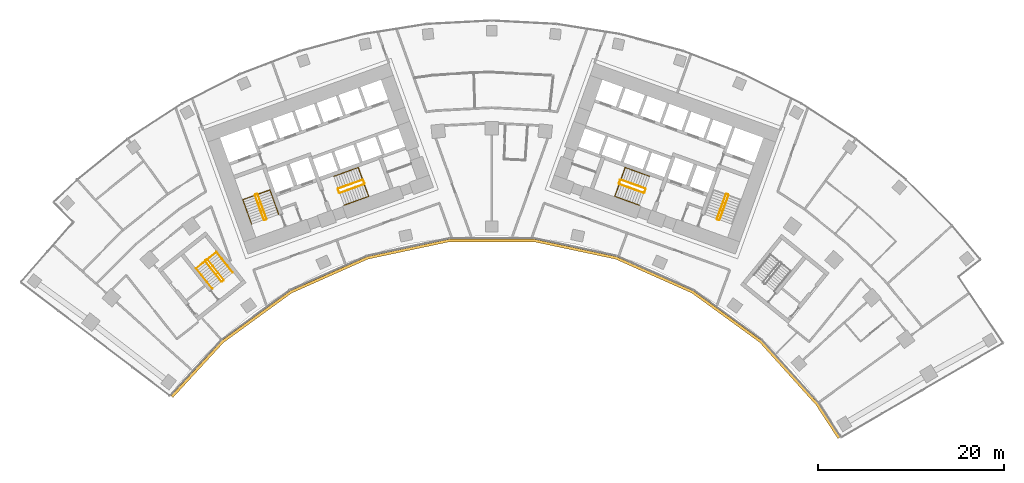
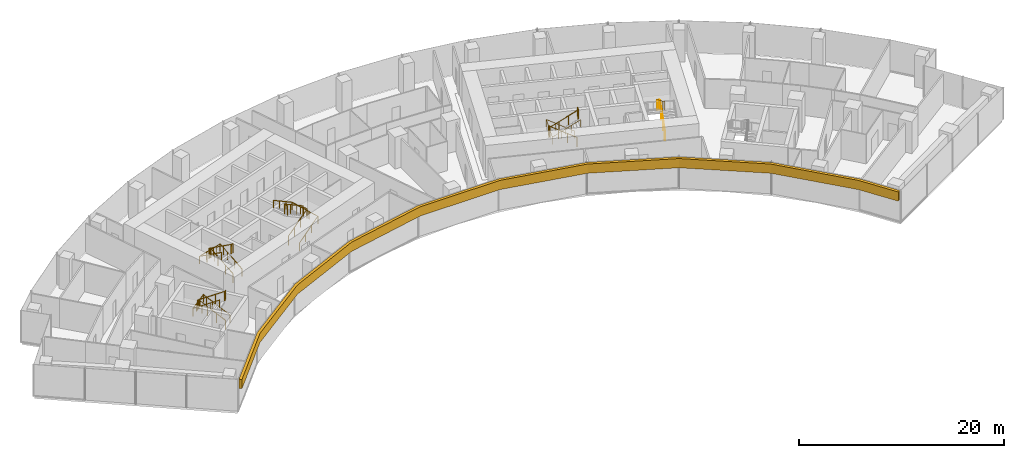
# One storey, part 20 of 21: 14 railings, 1 covering.
"""IFC4 building model written with IfcOpenShell, lengths in metres."""

from ifc_helpers import new_model, si_unit, direction, frame, origin, origin_2d, place, context, subcontext, project, spatial, polyline, circle, outline, extrude, material, layer, layer_set, type_object, element, save


model = new_model("IFC4")

# Units and contexts
model_context = context("Model", 3, precision=1e-05, world=origin(), true_north=direction((0.0, 1.0)))
body_context = subcontext(model_context, "Body", "Model", "MODEL_VIEW")
ifc_project = project(units=[si_unit("LENGTHUNIT", "METRE"), si_unit("AREAUNIT", "SQUARE_METRE"), si_unit("VOLUMEUNIT", "CUBIC_METRE"), si_unit("PLANEANGLEUNIT", "RADIAN"), si_unit("MASSUNIT", "GRAM", prefix="KILO")], contexts=[model_context])

# Site, building, storey
site_placement = place(None, origin())
site = spatial("IfcSite", under=ifc_project, at=site_placement, CompositionType="ELEMENT")
building_placement = place(site_placement, origin())
building = spatial("IfcBuilding", under=site, at=building_placement, Name="Stone Belt Terrace Tower", CompositionType="ELEMENT")
storey_placement = place(building_placement, frame((0.0, 0.0, 90.800048828125)))
storey = spatial("IfcBuildingStorey", under=building, at=storey_placement, Name="L21", CompositionType="ELEMENT", Elevation=90.800048828125)

# Railings
ifc_material_1 = material(Name="Structural steel C345", Category="steel")
railing_type_1 = type_object("IfcRailingType", Name="Stair guard 1100", PredefinedType="GUARDRAIL", material=ifc_material_1)
railing_1_placement = place(storey_placement, frame((-24.2119140625, 45.276123046875, 0.172607421875)))
element("IfcRailing", 1, at=railing_1_placement, inside=storey, type_object=railing_type_1, Name="L21 ST1A stair guard 1", PredefinedType="GUARDRAIL", context=body_context, shape_type="SweptSolid", body=[
    extrude(circle(Radius=0.02392578125, at=origin_2d()), frame((0.0, 0.0, 1.076171875), z_axis=(-0.288228637646, 0.800791768495, 0.525030280985), x_axis=(-0.940908529223, -0.338660803216, 0.0)), (0.0, 0.0, 1.0), 3.289794921875),
    extrude(circle(Radius=0.02392578125, at=origin_2d()), frame((-0.9482421875, 2.634521484375, 2.80322265625), z_axis=(-0.905209821074, 0.424964916, 0.0), x_axis=(-0.424964916, -0.905209821074, 0.0)), (0.0, 0.0, 1.0), 0.070556640625),
    extrude(circle(Radius=0.02392578125, at=origin_2d()), frame((-1.01220703125, 2.66455078125, 2.80322265625), z_axis=(-0.941105063269, -0.338114270461, 0.0), x_axis=(0.338114270461, -0.941105063269, 0.0)), (0.0, 0.0, 1.0), 0.199951171875),
    extrude(circle(Radius=0.02099609375, at=origin_2d()), origin(), (0.0, 0.0, 1.0), 1.052001953125),
    extrude(circle(Radius=0.02099609375, at=origin_2d()), frame((-0.316162109375, 0.878173828125, 0.57568359375)), (0.0, 0.0, 1.0), 1.052001953125),
    extrude(circle(Radius=0.02099609375, at=origin_2d()), frame((-0.632080078125, 1.75634765625, 1.151611328125)), (0.0, 0.0, 1.0), 1.052001953125),
    extrude(circle(Radius=0.02099609375, at=origin_2d()), frame((-0.9482421875, 2.634521484375, 1.727294921875)), (0.0, 0.0, 1.0), 1.052001953125),
    extrude(circle(Radius=0.02099609375, at=origin_2d()), frame((-1.01220703125, 2.66455078125, 1.727294921875)), (0.0, 0.0, 1.0), 1.052001953125),
    extrude(circle(Radius=0.02099609375, at=origin_2d()), frame((-1.200439453125, 2.596923828125, 1.727294921875)), (0.0, 0.0, 1.0), 1.052001953125),
])
railing_2_placement = place(storey_placement, frame((-25.4423828125, 47.80908203125, 2.07275390625)))
element("IfcRailing", 2, at=railing_2_placement, inside=storey, type_object=railing_type_1, Name="L21 ST1A stair guard 2", PredefinedType="GUARDRAIL", context=body_context, shape_type="SweptSolid", body=[
    extrude(circle(Radius=0.02392578125, at=origin_2d()), frame((0.0, 0.0, 1.076171875), z_axis=(0.288228637646, -0.800791768495, 0.525030280985), x_axis=(0.940908529223, 0.338660803216, 0.0)), (0.0, 0.0, 1.0), 3.289794921875),
    extrude(circle(Radius=0.02392578125, at=origin_2d()), frame((0.9482421875, -2.634521484375, 2.80322265625), z_axis=(0.903878284585, -0.427789722475, 0.0), x_axis=(0.427789722475, 0.903878284585, 0.0)), (0.0, 0.0, 1.0), 0.07080078125),
    extrude(circle(Radius=0.02392578125, at=origin_2d()), frame((1.01220703125, -2.664794921875, 2.80322265625), z_axis=(0.940575576748, 0.339584429008, 0.0), x_axis=(-0.339584429008, 0.940575576748, 0.0)), (0.0, 0.0, 1.0), 0.199951171875),
    extrude(circle(Radius=0.02099609375, at=origin_2d()), origin(), (0.0, 0.0, 1.0), 1.052001953125),
    extrude(circle(Radius=0.02099609375, at=origin_2d()), frame((0.316162109375, -0.878173828125, 0.57568359375)), (0.0, 0.0, 1.0), 1.052001953125),
    extrude(circle(Radius=0.02099609375, at=origin_2d()), frame((0.632080078125, -1.75634765625, 1.151611328125)), (0.0, 0.0, 1.0), 1.052001953125),
    extrude(circle(Radius=0.02099609375, at=origin_2d()), frame((0.9482421875, -2.634521484375, 1.727294921875)), (0.0, 0.0, 1.0), 1.052001953125),
    extrude(circle(Radius=0.02099609375, at=origin_2d()), frame((1.01220703125, -2.664794921875, 1.727294921875)), (0.0, 0.0, 1.0), 1.052001953125),
    extrude(circle(Radius=0.02099609375, at=origin_2d()), frame((1.2001953125, -2.596923828125, 1.727294921875)), (0.0, 0.0, 1.0), 1.052001953125),
])
railing_3_placement = place(storey_placement, frame((-16.33837890625, 48.056640625, 0.172607421875)))
element("IfcRailing", 3, at=railing_3_placement, inside=storey, type_object=railing_type_1, Name="L21 ST2A stair guard 1", PredefinedType="GUARDRAIL", context=body_context, shape_type="SweptSolid", body=[
    extrude(circle(Radius=0.02392578125, at=origin_2d()), frame((0.0, 0.0, 1.076171875), z_axis=(0.800808895155, 0.288160591223, 0.52504150989), x_axis=(-0.338583606334, 0.940936311087, 0.0)), (0.0, 0.0, 1.0), 3.289794921875),
    extrude(circle(Radius=0.02392578125, at=origin_2d()), frame((2.634521484375, 0.947998046875, 2.80322265625), z_axis=(0.427789722475, 0.903878284585, 0.0), x_axis=(-0.903878284585, 0.427789722475, 0.0)), (0.0, 0.0, 1.0), 0.07080078125),
    extrude(circle(Radius=0.02392578125, at=origin_2d()), frame((2.664794921875, 1.011962890625, 2.80322265625), z_axis=(-0.338654645739, 0.940910745459, 0.0), x_axis=(-0.940910745459, -0.338654645739, 0.0)), (0.0, 0.0, 1.0), 0.400146484375),
    extrude(circle(Radius=0.02099609375, at=origin_2d()), origin(), (0.0, 0.0, 1.0), 1.052001953125),
    extrude(circle(Radius=0.02099609375, at=origin_2d()), frame((0.878173828125, 0.31591796875, 0.57568359375)), (0.0, 0.0, 1.0), 1.052001953125),
    extrude(circle(Radius=0.02099609375, at=origin_2d()), frame((1.75634765625, 0.632080078125, 1.151611328125)), (0.0, 0.0, 1.0), 1.052001953125),
    extrude(circle(Radius=0.02099609375, at=origin_2d()), frame((2.634521484375, 0.947998046875, 1.727294921875)), (0.0, 0.0, 1.0), 1.052001953125),
    extrude(circle(Radius=0.02099609375, at=origin_2d()), frame((2.664794921875, 1.011962890625, 1.727294921875)), (0.0, 0.0, 1.0), 1.052001953125),
    extrude(circle(Radius=0.02099609375, at=origin_2d()), frame((2.529296875, 1.388427734375, 1.727294921875)), (0.0, 0.0, 1.0), 1.052001953125),
])
railing_4_placement = place(storey_placement, frame((-13.873046875, 49.47509765625, 2.07275390625)))
element("IfcRailing", 4, at=railing_4_placement, inside=storey, type_object=railing_type_1, Name="L21 ST2A stair guard 2", PredefinedType="GUARDRAIL", context=body_context, shape_type="SweptSolid", body=[
    extrude(circle(Radius=0.02392578125, at=origin_2d()), frame((0.0, 0.0, 1.076171875), z_axis=(-0.800808895155, -0.288160591223, 0.52504150989), x_axis=(0.338583606334, -0.940936311087, 0.0)), (0.0, 0.0, 1.0), 3.289794921875),
    extrude(circle(Radius=0.02392578125, at=origin_2d()), frame((-2.634521484375, -0.947998046875, 2.80322265625), z_axis=(-0.427789722475, -0.903878284585, 0.0), x_axis=(0.903878284585, -0.427789722475, 0.0)), (0.0, 0.0, 1.0), 0.07080078125),
    extrude(circle(Radius=0.02392578125, at=origin_2d()), frame((-2.664794921875, -1.011962890625, 2.80322265625), z_axis=(0.338654645739, -0.940910745459, 0.0), x_axis=(0.940910745459, 0.338654645739, 0.0)), (0.0, 0.0, 1.0), 0.400146484375),
    extrude(circle(Radius=0.02099609375, at=origin_2d()), origin(), (0.0, 0.0, 1.0), 1.052001953125),
    extrude(circle(Radius=0.02099609375, at=origin_2d()), frame((-0.878173828125, -0.31591796875, 0.57568359375)), (0.0, 0.0, 1.0), 1.052001953125),
    extrude(circle(Radius=0.02099609375, at=origin_2d()), frame((-1.75634765625, -0.632080078125, 1.151611328125)), (0.0, 0.0, 1.0), 1.052001953125),
    extrude(circle(Radius=0.02099609375, at=origin_2d()), frame((-2.634521484375, -0.947998046875, 1.727294921875)), (0.0, 0.0, 1.0), 1.052001953125),
    extrude(circle(Radius=0.02099609375, at=origin_2d()), frame((-2.664794921875, -1.011962890625, 1.727294921875)), (0.0, 0.0, 1.0), 1.052001953125),
    extrude(circle(Radius=0.02099609375, at=origin_2d()), frame((-2.529296875, -1.388427734375, 1.727294921875)), (0.0, 0.0, 1.0), 1.052001953125),
])
railing_5_placement = place(storey_placement, frame((24.494140625, 45.174560546875, 0.172607421875)))
element("IfcRailing", 5, at=railing_5_placement, inside=storey, type_object=railing_type_1, Name="L21 ST1B stair guard 1", PredefinedType="GUARDRAIL", context=body_context, shape_type="SweptSolid", body=[
    extrude(circle(Radius=0.02392578125, at=origin_2d()), frame((0.0, 0.0, 1.076171875), z_axis=(0.288228637646, 0.800791768495, 0.525030280985), x_axis=(-0.940908529223, 0.338660803216, 0.0)), (0.0, 0.0, 1.0), 3.289794921875),
    extrude(circle(Radius=0.02392578125, at=origin_2d()), frame((0.9482421875, 2.634521484375, 2.80322265625), z_axis=(-0.424964916, 0.905209821074, 0.0), x_axis=(-0.905209821074, -0.424964916, 0.0)), (0.0, 0.0, 1.0), 0.070556640625),
    extrude(circle(Radius=0.02392578125, at=origin_2d()), frame((0.918212890625, 2.698486328125, 2.80322265625), z_axis=(-0.941105063269, 0.338114270461, 0.0), x_axis=(-0.338114270461, -0.941105063269, 0.0)), (0.0, 0.0, 1.0), 0.199951171875),
    extrude(circle(Radius=0.02099609375, at=origin_2d()), origin(), (0.0, 0.0, 1.0), 1.052001953125),
    extrude(circle(Radius=0.02099609375, at=origin_2d()), frame((0.316162109375, 0.878173828125, 0.57568359375)), (0.0, 0.0, 1.0), 1.052001953125),
    extrude(circle(Radius=0.02099609375, at=origin_2d()), frame((0.632080078125, 1.75634765625, 1.151611328125)), (0.0, 0.0, 1.0), 1.052001953125),
    extrude(circle(Radius=0.02099609375, at=origin_2d()), frame((0.9482421875, 2.634521484375, 1.727294921875)), (0.0, 0.0, 1.0), 1.052001953125),
    extrude(circle(Radius=0.02099609375, at=origin_2d()), frame((0.918212890625, 2.698486328125, 1.727294921875)), (0.0, 0.0, 1.0), 1.052001953125),
    extrude(circle(Radius=0.02099609375, at=origin_2d()), frame((0.72998046875, 2.76611328125, 1.727294921875)), (0.0, 0.0, 1.0), 1.052001953125),
])
railing_6_placement = place(storey_placement, frame((25.16015625, 47.91064453125, 2.07275390625)))
element("IfcRailing", 6, at=railing_6_placement, inside=storey, type_object=railing_type_1, Name="L21 ST1B stair guard 2", PredefinedType="GUARDRAIL", context=body_context, shape_type="SweptSolid", body=[
    extrude(circle(Radius=0.02392578125, at=origin_2d()), frame((0.0, 0.0, 1.076171875), z_axis=(-0.288228637646, -0.800791768495, 0.525030280985), x_axis=(0.940908529223, -0.338660803216, 0.0)), (0.0, 0.0, 1.0), 3.289794921875),
    extrude(circle(Radius=0.02392578125, at=origin_2d()), frame((-0.9482421875, -2.634521484375, 2.80322265625), z_axis=(0.427789722475, -0.903878284585, 0.0), x_axis=(0.903878284585, 0.427789722475, 0.0)), (0.0, 0.0, 1.0), 0.07080078125),
    extrude(circle(Radius=0.02392578125, at=origin_2d()), frame((-0.91796875, -2.698486328125, 2.80322265625), z_axis=(0.940575576748, -0.339584429008, 0.0), x_axis=(0.339584429008, 0.940575576748, 0.0)), (0.0, 0.0, 1.0), 0.199951171875),
    extrude(circle(Radius=0.02099609375, at=origin_2d()), origin(), (0.0, 0.0, 1.0), 1.052001953125),
    extrude(circle(Radius=0.02099609375, at=origin_2d()), frame((-0.316162109375, -0.878173828125, 0.57568359375)), (0.0, 0.0, 1.0), 1.052001953125),
    extrude(circle(Radius=0.02099609375, at=origin_2d()), frame((-0.632080078125, -1.75634765625, 1.151611328125)), (0.0, 0.0, 1.0), 1.052001953125),
    extrude(circle(Radius=0.02099609375, at=origin_2d()), frame((-0.9482421875, -2.634521484375, 1.727294921875)), (0.0, 0.0, 1.0), 1.052001953125),
    extrude(circle(Radius=0.02099609375, at=origin_2d()), frame((-0.91796875, -2.698486328125, 1.727294921875)), (0.0, 0.0, 1.0), 1.052001953125),
    extrude(circle(Radius=0.02099609375, at=origin_2d()), frame((-0.72998046875, -2.766357421875, 1.727294921875)), (0.0, 0.0, 1.0), 1.052001953125),
])
railing_7_placement = place(storey_placement, frame((16.507568359375, 48.527099609375, 0.172607421875)))
element("IfcRailing", 7, at=railing_7_placement, inside=storey, type_object=railing_type_1, Name="L21 ST2B stair guard 1", PredefinedType="GUARDRAIL", context=body_context, shape_type="SweptSolid", body=[
    extrude(circle(Radius=0.02392578125, at=origin_2d()), frame((0.0, 0.0, 1.076171875), z_axis=(-0.800808895155, 0.288160591223, 0.52504150989), x_axis=(-0.338583606334, -0.940936311087, 0.0)), (0.0, 0.0, 1.0), 3.289794921875),
    extrude(circle(Radius=0.02392578125, at=origin_2d()), frame((-2.634521484375, 0.947998046875, 2.80322265625), z_axis=(-0.905209821074, -0.424964916, 0.0), x_axis=(0.424964916, -0.905209821074, 0.0)), (0.0, 0.0, 1.0), 0.070556640625),
    extrude(circle(Radius=0.02392578125, at=origin_2d()), frame((-2.698486328125, 0.91796875, 2.80322265625), z_axis=(-0.338654645739, -0.940910745459, 0.0), x_axis=(0.940910745459, -0.338654645739, 0.0)), (0.0, 0.0, 1.0), 0.400146484375),
    extrude(circle(Radius=0.02099609375, at=origin_2d()), origin(), (0.0, 0.0, 1.0), 1.052001953125),
    extrude(circle(Radius=0.02099609375, at=origin_2d()), frame((-0.878173828125, 0.31591796875, 0.57568359375)), (0.0, 0.0, 1.0), 1.052001953125),
    extrude(circle(Radius=0.02099609375, at=origin_2d()), frame((-1.75634765625, 0.632080078125, 1.151611328125)), (0.0, 0.0, 1.0), 1.052001953125),
    extrude(circle(Radius=0.02099609375, at=origin_2d()), frame((-2.634521484375, 0.947998046875, 1.727294921875)), (0.0, 0.0, 1.0), 1.052001953125),
    extrude(circle(Radius=0.02099609375, at=origin_2d()), frame((-2.698486328125, 0.91796875, 1.727294921875)), (0.0, 0.0, 1.0), 1.052001953125),
    extrude(circle(Radius=0.02099609375, at=origin_2d()), frame((-2.833984375, 0.54150390625, 1.727294921875)), (0.0, 0.0, 1.0), 1.052001953125),
])
railing_8_placement = place(storey_placement, frame((13.703857421875, 49.004638671875, 2.07275390625)))
element("IfcRailing", 8, at=railing_8_placement, inside=storey, type_object=railing_type_1, Name="L21 ST2B stair guard 2", PredefinedType="GUARDRAIL", context=body_context, shape_type="SweptSolid", body=[
    extrude(circle(Radius=0.02392578125, at=origin_2d()), frame((0.0, 0.0, 1.076171875), z_axis=(0.800808895155, -0.288160591223, 0.52504150989), x_axis=(0.338583606334, 0.940936311087, 0.0)), (0.0, 0.0, 1.0), 3.289794921875),
    extrude(circle(Radius=0.02392578125, at=origin_2d()), frame((2.634521484375, -0.947998046875, 2.80322265625), z_axis=(0.905209821074, 0.424964916, 0.0), x_axis=(-0.424964916, 0.905209821074, 0.0)), (0.0, 0.0, 1.0), 0.070556640625),
    extrude(circle(Radius=0.02392578125, at=origin_2d()), frame((2.698486328125, -0.91796875, 2.80322265625), z_axis=(0.338654645739, 0.940910745459, 0.0), x_axis=(-0.940910745459, 0.338654645739, 0.0)), (0.0, 0.0, 1.0), 0.400146484375),
    extrude(circle(Radius=0.02099609375, at=origin_2d()), origin(), (0.0, 0.0, 1.0), 1.052001953125),
    extrude(circle(Radius=0.02099609375, at=origin_2d()), frame((0.878173828125, -0.31591796875, 0.57568359375)), (0.0, 0.0, 1.0), 1.052001953125),
    extrude(circle(Radius=0.02099609375, at=origin_2d()), frame((1.75634765625, -0.632080078125, 1.151611328125)), (0.0, 0.0, 1.0), 1.052001953125),
    extrude(circle(Radius=0.02099609375, at=origin_2d()), frame((2.634521484375, -0.947998046875, 1.727294921875)), (0.0, 0.0, 1.0), 1.052001953125),
    extrude(circle(Radius=0.02099609375, at=origin_2d()), frame((2.698486328125, -0.91796875, 1.727294921875)), (0.0, 0.0, 1.0), 1.052001953125),
    extrude(circle(Radius=0.02099609375, at=origin_2d()), frame((2.833984375, -0.54150390625, 1.727294921875)), (0.0, 0.0, 1.0), 1.052001953125),
])
railing_9_placement = place(storey_placement, frame((-28.814208984375, 38.734619140625, 0.172607421875)))
element("IfcRailing", 9, at=railing_9_placement, inside=storey, type_object=railing_type_1, Name="L21 ST3A stair guard 1", PredefinedType="GUARDRAIL", context=body_context, shape_type="SweptSolid", body=[
    extrude(circle(Radius=0.02392578125, at=origin_2d()), frame((0.0, 0.0, 1.076171875), z_axis=(-0.530306321799, 0.665665785969, 0.525037395288), x_axis=(-0.782143211408, -0.623098705543, 0.0)), (0.0, 0.0, 1.0), 3.289794921875),
    extrude(circle(Radius=0.02392578125, at=origin_2d()), frame((-1.74462890625, 2.18994140625, 2.80322265625), z_axis=(-0.993883734674, 0.110431526075, 0.0), x_axis=(-0.110431526075, -0.993883734674, 0.0)), (0.0, 0.0, 1.0), 0.07080078125),
    extrude(circle(Radius=0.02392578125, at=origin_2d()), frame((-1.81494140625, 2.19775390625, 2.80322265625), z_axis=(-0.782533463299, -0.622608527742, 0.0), x_axis=(0.622608527742, -0.782533463299, 0.0)), (0.0, 0.0, 1.0), 0.199951171875),
    extrude(circle(Radius=0.02099609375, at=origin_2d()), origin(), (0.0, 0.0, 1.0), 1.052001953125),
    extrude(circle(Radius=0.02099609375, at=origin_2d()), frame((-0.58154296875, 0.72998046875, 0.57568359375)), (0.0, 0.0, 1.0), 1.052001953125),
    extrude(circle(Radius=0.02099609375, at=origin_2d()), frame((-1.1630859375, 1.4599609375, 1.151611328125)), (0.0, 0.0, 1.0), 1.052001953125),
    extrude(circle(Radius=0.02099609375, at=origin_2d()), frame((-1.74462890625, 2.18994140625, 1.727294921875)), (0.0, 0.0, 1.0), 1.052001953125),
    extrude(circle(Radius=0.02099609375, at=origin_2d()), frame((-1.81494140625, 2.19775390625, 1.727294921875)), (0.0, 0.0, 1.0), 1.052001953125),
    extrude(circle(Radius=0.02099609375, at=origin_2d()), frame((-1.971435546875, 2.0732421875, 1.727294921875)), (0.0, 0.0, 1.0), 1.052001953125),
])
railing_10_placement = place(storey_placement, frame((-30.793701171875, 40.737548828125, 2.07275390625)))
element("IfcRailing", 10, at=railing_10_placement, inside=storey, type_object=railing_type_1, Name="L21 ST3A stair guard 2", PredefinedType="GUARDRAIL", context=body_context, shape_type="SweptSolid", body=[
    extrude(circle(Radius=0.02392578125, at=origin_2d()), frame((0.0, 0.0, 1.076171875), z_axis=(0.530359659125, -0.665639588968, 0.525016732659), x_axis=(0.782100716982, 0.62315204284, 0.0)), (0.0, 0.0, 1.0), 3.2900390625),
    extrude(circle(Radius=0.02392578125, at=origin_2d()), frame((1.744873046875, -2.18994140625, 2.80322265625), z_axis=(0.993499272973, -0.113838458361, 0.0), x_axis=(0.113838458361, 0.993499272973, 0.0)), (0.0, 0.0, 1.0), 0.07080078125),
    extrude(circle(Radius=0.02392578125, at=origin_2d()), frame((1.815185546875, -2.197998046875, 2.80322265625), z_axis=(0.781464082609, 0.623950228458, 0.0), x_axis=(-0.623950228458, 0.781464082609, 0.0)), (0.0, 0.0, 1.0), 0.199951171875),
    extrude(circle(Radius=0.02099609375, at=origin_2d()), origin(), (0.0, 0.0, 1.0), 1.052001953125),
    extrude(circle(Radius=0.02099609375, at=origin_2d()), frame((0.58154296875, -0.72998046875, 0.57568359375)), (0.0, 0.0, 1.0), 1.052001953125),
    extrude(circle(Radius=0.02099609375, at=origin_2d()), frame((1.163330078125, -1.4599609375, 1.151611328125)), (0.0, 0.0, 1.0), 1.052001953125),
    extrude(circle(Radius=0.02099609375, at=origin_2d()), frame((1.744873046875, -2.18994140625, 1.727294921875)), (0.0, 0.0, 1.0), 1.052001953125),
    extrude(circle(Radius=0.02099609375, at=origin_2d()), frame((1.815185546875, -2.197998046875, 1.727294921875)), (0.0, 0.0, 1.0), 1.052001953125),
    extrude(circle(Radius=0.02099609375, at=origin_2d()), frame((1.971435546875, -2.0732421875, 1.727294921875)), (0.0, 0.0, 1.0), 1.052001953125),
])
railing_type_2 = type_object("IfcRailingType", Name="Stair handrail 900", PredefinedType="HANDRAIL", material=ifc_material_1)
railing_11_placement = place(storey_placement, frame((-22.894775390625, 45.750244140625, 0.172607421875)))
element("IfcRailing", 11, at=railing_11_placement, inside=storey, type_object=railing_type_2, Name="L21 ST1A stair handrail 1", PredefinedType="HANDRAIL", context=body_context, shape_type="SweptSolid", body=[
    extrude(circle(Radius=0.02392578125, at=origin_2d()), frame((0.0, 0.0, 0.8759765625), z_axis=(-0.288160591223, 0.800808895155, 0.52504150989), x_axis=(-0.940936311087, -0.338583606334, 0.0)), (0.0, 0.0, 1.0), 3.289794921875),
    extrude(circle(Radius=0.02392578125, at=origin_2d()), frame((-0.947998046875, 2.634521484375, 2.60302734375), z_axis=(-0.939460408074, -0.338105101667, 0.055669398135), x_axis=(0.338630230244, -0.940919532779, 0.0)), (0.0, 0.0, 1.0), 3.10498046875),
    extrude(circle(Radius=0.02392578125, at=origin_2d()), frame((-3.864990234375, 1.584716796875, 2.77587890625), z_axis=(0.288228637646, -0.800791768495, 0.525030280985), x_axis=(0.940908529223, 0.338660803216, 0.0)), (0.0, 0.0, 1.0), 3.289794921875),
    extrude(circle(Radius=0.02099609375, at=origin_2d()), origin(), (0.0, 0.0, 1.0), 0.851806640625),
    extrude(circle(Radius=0.02099609375, at=origin_2d()), frame((-0.31591796875, 0.878173828125, 0.57568359375)), (0.0, 0.0, 1.0), 0.851806640625),
    extrude(circle(Radius=0.02099609375, at=origin_2d()), frame((-0.632080078125, 1.75634765625, 1.151611328125)), (0.0, 0.0, 1.0), 0.851806640625),
    extrude(circle(Radius=0.02099609375, at=origin_2d()), frame((-0.947998046875, 2.634521484375, 1.727294921875)), (0.0, 0.0, 1.0), 0.851806640625),
    extrude(circle(Radius=0.02099609375, at=origin_2d()), frame((-1.92041015625, 2.28466796875, 1.784912109375)), (0.0, 0.0, 1.0), 0.851806640625),
    extrude(circle(Radius=0.02099609375, at=origin_2d()), frame((-2.892578125, 1.9345703125, 1.842529296875)), (0.0, 0.0, 1.0), 0.851806640625),
    extrude(circle(Radius=0.02099609375, at=origin_2d()), frame((-3.864990234375, 1.584716796875, 1.900146484375)), (0.0, 0.0, 1.0), 0.851806640625),
    extrude(circle(Radius=0.02099609375, at=origin_2d()), frame((-3.548828125, 0.70654296875, 2.475830078125)), (0.0, 0.0, 1.0), 0.851806640625),
    extrude(circle(Radius=0.02099609375, at=origin_2d()), frame((-3.23291015625, -0.171630859375, 3.0517578125)), (0.0, 0.0, 1.0), 0.851806640625),
    extrude(circle(Radius=0.02099609375, at=origin_2d()), frame((-2.916748046875, -1.0498046875, 3.62744140625)), (0.0, 0.0, 1.0), 0.851806640625),
])
railing_12_placement = place(storey_placement, frame((-15.8642578125, 46.7392578125, 0.172607421875)))
element("IfcRailing", 12, at=railing_12_placement, inside=storey, type_object=railing_type_2, Name="L21 ST2A stair handrail 1", PredefinedType="HANDRAIL", context=body_context, shape_type="SweptSolid", body=[
    extrude(circle(Radius=0.02392578125, at=origin_2d()), frame((0.0, 0.0, 0.8759765625), z_axis=(0.800791768495, 0.288228637646, 0.525030280985), x_axis=(-0.338660803216, 0.940908529223, 0.0)), (0.0, 0.0, 1.0), 3.289794921875),
    extrude(circle(Radius=0.02392578125, at=origin_2d()), frame((2.634521484375, 0.9482421875, 2.60302734375), z_axis=(-0.338158948057, 0.939634149308, 0.052308615955), x_axis=(-0.940922302781, -0.338622533404, 0.0)), (0.0, 0.0, 1.0), 3.304443359375),
    extrude(circle(Radius=0.02392578125, at=origin_2d()), frame((1.51708984375, 4.05322265625, 2.77587890625), z_axis=(-0.800791768495, -0.288228637646, 0.525030280985), x_axis=(0.338660803216, -0.940908529223, 0.0)), (0.0, 0.0, 1.0), 3.289794921875),
    extrude(circle(Radius=0.02099609375, at=origin_2d()), origin(), (0.0, 0.0, 1.0), 0.851806640625),
    extrude(circle(Radius=0.02099609375, at=origin_2d()), frame((0.878173828125, 0.316162109375, 0.57568359375)), (0.0, 0.0, 1.0), 0.851806640625),
    extrude(circle(Radius=0.02099609375, at=origin_2d()), frame((1.75634765625, 0.632080078125, 1.151611328125)), (0.0, 0.0, 1.0), 0.851806640625),
    extrude(circle(Radius=0.02099609375, at=origin_2d()), frame((2.634521484375, 0.9482421875, 1.727294921875)), (0.0, 0.0, 1.0), 0.851806640625),
    extrude(circle(Radius=0.02099609375, at=origin_2d()), frame((2.261962890625, 1.983154296875, 1.784912109375)), (0.0, 0.0, 1.0), 0.851806640625),
    extrude(circle(Radius=0.02099609375, at=origin_2d()), frame((1.8896484375, 3.018310546875, 1.842529296875)), (0.0, 0.0, 1.0), 0.851806640625),
    extrude(circle(Radius=0.02099609375, at=origin_2d()), frame((1.51708984375, 4.05322265625, 1.900146484375)), (0.0, 0.0, 1.0), 0.851806640625),
    extrude(circle(Radius=0.02099609375, at=origin_2d()), frame((0.638916015625, 3.737060546875, 2.475830078125)), (0.0, 0.0, 1.0), 0.851806640625),
    extrude(circle(Radius=0.02099609375, at=origin_2d()), frame((-0.2392578125, 3.421142578125, 3.0517578125)), (0.0, 0.0, 1.0), 0.851806640625),
    extrude(circle(Radius=0.02099609375, at=origin_2d()), frame((-1.117431640625, 3.10498046875, 3.62744140625)), (0.0, 0.0, 1.0), 0.851806640625),
])
railing_13_placement = place(storey_placement, frame((16.981689453125, 49.84423828125, 0.172607421875)))
element("IfcRailing", 13, at=railing_13_placement, inside=storey, type_object=railing_type_2, Name="L21 ST2B stair handrail 1", PredefinedType="HANDRAIL", context=body_context, shape_type="SweptSolid", body=[
    extrude(circle(Radius=0.02392578125, at=origin_2d()), frame((0.0, 0.0, 0.8759765625), z_axis=(-0.800791768495, 0.288228637646, 0.525030280985), x_axis=(-0.338660803216, -0.940908529223, 0.0)), (0.0, 0.0, 1.0), 3.289794921875),
    extrude(circle(Radius=0.02392578125, at=origin_2d()), frame((-2.634521484375, 0.9482421875, 2.60302734375), z_axis=(-0.338158948057, -0.939634149308, 0.052308615955), x_axis=(0.940922302781, -0.338622533404, 0.0)), (0.0, 0.0, 1.0), 3.304443359375),
    extrude(circle(Radius=0.02392578125, at=origin_2d()), frame((-3.751953125, -2.15673828125, 2.77587890625), z_axis=(0.800791768495, -0.288228637646, 0.525030280985), x_axis=(0.338660803216, 0.940908529223, 0.0)), (0.0, 0.0, 1.0), 3.289794921875),
    extrude(circle(Radius=0.02099609375, at=origin_2d()), origin(), (0.0, 0.0, 1.0), 0.851806640625),
    extrude(circle(Radius=0.02099609375, at=origin_2d()), frame((-0.878173828125, 0.316162109375, 0.57568359375)), (0.0, 0.0, 1.0), 0.851806640625),
    extrude(circle(Radius=0.02099609375, at=origin_2d()), frame((-1.75634765625, 0.632080078125, 1.151611328125)), (0.0, 0.0, 1.0), 0.851806640625),
    extrude(circle(Radius=0.02099609375, at=origin_2d()), frame((-2.634521484375, 0.9482421875, 1.727294921875)), (0.0, 0.0, 1.0), 0.851806640625),
    extrude(circle(Radius=0.02099609375, at=origin_2d()), frame((-3.007080078125, -0.086669921875, 1.784912109375)), (0.0, 0.0, 1.0), 0.851806640625),
    extrude(circle(Radius=0.02099609375, at=origin_2d()), frame((-3.37939453125, -1.121826171875, 1.842529296875)), (0.0, 0.0, 1.0), 0.851806640625),
    extrude(circle(Radius=0.02099609375, at=origin_2d()), frame((-3.751953125, -2.15673828125, 1.900146484375)), (0.0, 0.0, 1.0), 0.851806640625),
    extrude(circle(Radius=0.02099609375, at=origin_2d()), frame((-2.873779296875, -2.472900390625, 2.475830078125)), (0.0, 0.0, 1.0), 0.851806640625),
    extrude(circle(Radius=0.02099609375, at=origin_2d()), frame((-1.99560546875, -2.788818359375, 3.0517578125)), (0.0, 0.0, 1.0), 0.851806640625),
    extrude(circle(Radius=0.02099609375, at=origin_2d()), frame((-1.117431640625, -3.10498046875, 3.62744140625)), (0.0, 0.0, 1.0), 0.851806640625),
])
railing_14_placement = place(storey_placement, frame((-27.836669921875, 39.513427734375, 0.172607421875)))
element("IfcRailing", 14, at=railing_14_placement, inside=storey, type_object=railing_type_2, Name="L21 ST3A stair handrail 1", PredefinedType="HANDRAIL", context=body_context, shape_type="SweptSolid", body=[
    extrude(circle(Radius=0.02392578125, at=origin_2d()), frame((0.0, 0.0, 0.8759765625), z_axis=(-0.530306321799, 0.665665785969, 0.525037395288), x_axis=(-0.782143211408, -0.623098705543, 0.0)), (0.0, 0.0, 1.0), 3.289794921875),
    extrude(circle(Radius=0.02392578125, at=origin_2d()), frame((-1.74462890625, 2.18994140625, 2.60302734375), z_axis=(-0.78065703189, -0.621914732429, 0.061617076765), x_axis=(0.623098705543, -0.782143211408, 0.0)), (0.0, 0.0, 1.0), 2.80517578125),
    extrude(circle(Radius=0.02392578125, at=origin_2d()), frame((-3.9345703125, 0.4453125, 2.77587890625), z_axis=(0.530306321799, -0.665665785969, 0.525037395288), x_axis=(0.782143211408, 0.623098705543, 0.0)), (0.0, 0.0, 1.0), 3.289794921875),
    extrude(circle(Radius=0.02099609375, at=origin_2d()), origin(), (0.0, 0.0, 1.0), 0.851806640625),
    extrude(circle(Radius=0.02099609375, at=origin_2d()), frame((-0.58154296875, 0.72998046875, 0.57568359375)), (0.0, 0.0, 1.0), 0.851806640625),
    extrude(circle(Radius=0.02099609375, at=origin_2d()), frame((-1.1630859375, 1.4599609375, 1.151611328125)), (0.0, 0.0, 1.0), 0.851806640625),
    extrude(circle(Radius=0.02099609375, at=origin_2d()), frame((-1.74462890625, 2.18994140625, 1.727294921875)), (0.0, 0.0, 1.0), 0.851806640625),
    extrude(circle(Radius=0.02099609375, at=origin_2d()), frame((-2.474609375, 1.6083984375, 1.784912109375)), (0.0, 0.0, 1.0), 0.851806640625),
    extrude(circle(Radius=0.02099609375, at=origin_2d()), frame((-3.20458984375, 1.02685546875, 1.842529296875)), (0.0, 0.0, 1.0), 0.851806640625),
    extrude(circle(Radius=0.02099609375, at=origin_2d()), frame((-3.9345703125, 0.4453125, 1.900146484375)), (0.0, 0.0, 1.0), 0.851806640625),
    extrude(circle(Radius=0.02099609375, at=origin_2d()), frame((-3.35302734375, -0.28466796875, 2.475830078125)), (0.0, 0.0, 1.0), 0.851806640625),
    extrude(circle(Radius=0.02099609375, at=origin_2d()), frame((-2.771484375, -1.0146484375, 3.0517578125)), (0.0, 0.0, 1.0), 0.851806640625),
    extrude(circle(Radius=0.02099609375, at=origin_2d()), frame((-2.18994140625, -1.74462890625, 3.62744140625)), (0.0, 0.0, 1.0), 0.851806640625),
])

# Covering
ifc_material_2 = material(Name="Terracotta coloured glazed ceramic", Category="masonry")
ifc_layer = layer(ifc_material_2, 0.300048828125)
ifc_layer_set = layer_set([ifc_layer], Name="Terracotta spandrel band 300 x 1100")
covering_type = type_object("IfcCoveringType", Name="Terracotta spandrel band 300 x 1100", PredefinedType="CLADDING", material=ifc_layer_set)
covering_placement = place(storey_placement, frame((0.0, 0.0, 2.699951171875)))
element("IfcCovering", 15, at=covering_placement, inside=storey, type_object=covering_type, Name="BAND L21", PredefinedType="CLADDING", context=body_context, shape_type="SweptSolid", body=[
    extrude(outline(polyline([(-34.498291015625, 26.25146484375), (-29.0068359375, 32.214111328125), (-21.674560546875, 37.54150390625), (-13.395751953125, 41.2275390625), (-4.53125, 43.11181640625), (4.53125, 43.11181640625), (13.395751953125, 41.2275390625), (21.674560546875, 37.54150390625), (29.00634765625, 32.214599609375), (35.072998046875, 25.47705078125), (37.46875, 21.802001953125), (37.217529296875, 21.63818359375), (34.83447265625, 25.29345703125), (28.804443359375, 31.990478515625), (21.523681640625, 37.2802734375), (13.302490234375, 40.940673828125), (4.499755859375, 42.811767578125), (-4.499755859375, 42.811767578125), (-13.302490234375, 40.940673828125), (-21.523681640625, 37.2802734375), (-28.806396484375, 31.989013671875), (-34.277587890625, 26.04833984375), (-34.498291015625, 26.25146484375)])), origin(), (0.0, 0.0, 1.0), 1.10009765625),
])

save(model, "model.ifc")
